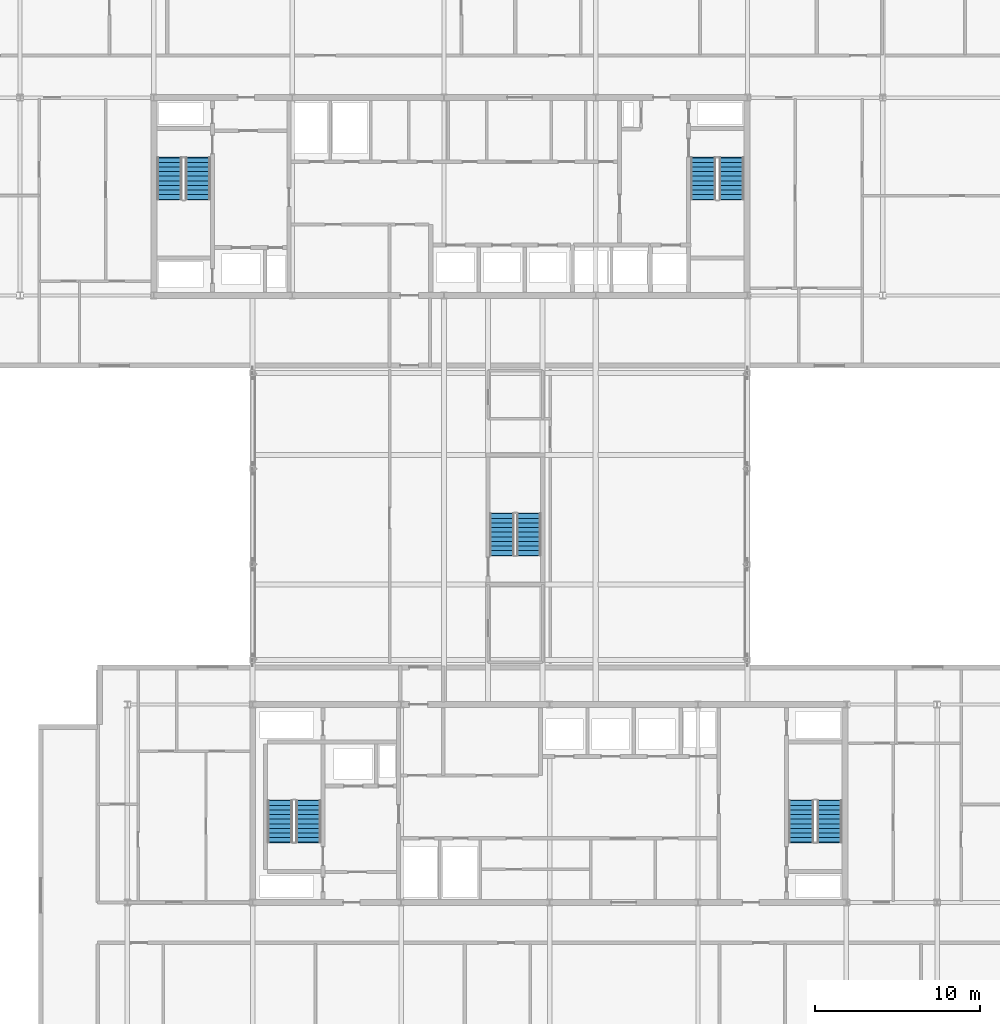
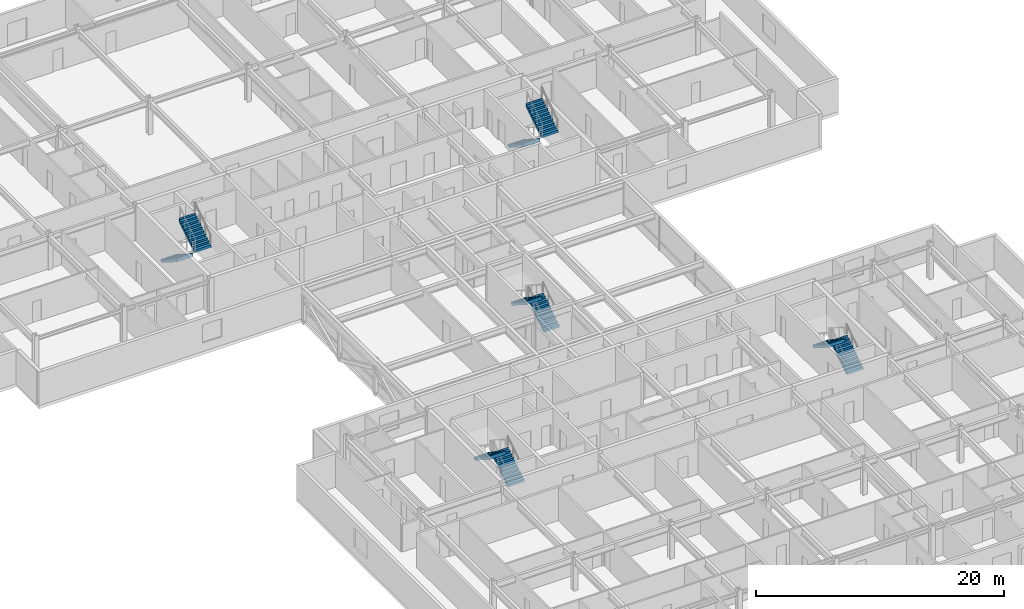
# One storey, part 30 of 36: 10 stair flights, 5 elements without a shape of their own.
"""IFC4 building model written with IfcOpenShell, lengths in metres."""

from ifc_helpers import new_model, si_unit, direction, frame, origin, place, context, subcontext, project, spatial, polyline, outline, extrude, material, type_object, element, aggregate, save


model = new_model("IFC4")

# Units and contexts
model_context = context("Model", 3, precision=1e-05, world=origin(), true_north=direction((0.0, 1.0)))
body_context = subcontext(model_context, "Body", "Model", "MODEL_VIEW")
ifc_project = project(units=[si_unit("LENGTHUNIT", "METRE"), si_unit("AREAUNIT", "SQUARE_METRE"), si_unit("VOLUMEUNIT", "CUBIC_METRE"), si_unit("PLANEANGLEUNIT", "RADIAN"), si_unit("MASSUNIT", "GRAM", prefix="KILO")], contexts=[model_context])

# Site, building, storey
site_placement = place(None, origin())
site = spatial("IfcSite", under=ifc_project, at=site_placement, CompositionType="ELEMENT")
building_placement = place(site_placement, origin())
building = spatial("IfcBuilding", under=site, at=building_placement, Name="Korimba Cascade Residences", CompositionType="ELEMENT")
storey_placement = place(building_placement, frame((0.0, 0.0, 139.300048828125)))
storey = spatial("IfcBuildingStorey", under=building, at=storey_placement, Name="L40", CompositionType="ELEMENT", Elevation=139.300048828125)

# Stair, stair flights
ifc_material = material(Name="Concrete C50/60", Category="concrete")
stair_type_1 = type_object("IfcStairType", Name="STR-BR1-20R-1800", PredefinedType="HALF_TURN_STAIR", material=ifc_material)
stair_1_placement = place(storey_placement, origin())
stair_1 = element("IfcStair", 1, at=stair_1_placement, inside=storey, type_object=stair_type_1, Name="L40 Mid-Bridge Feature Stair ST-BR1", PredefinedType="HALF_TURN_STAIR")
stair_flight_type_1 = type_object("IfcStairFlightType", Name="STF-DL-20R-1800-1430", PredefinedType="STRAIGHT", material=ifc_material)
stair_flight_1_placement = place(storey_placement, frame((98.844970703125, 39.449951171875, 0.0), z_axis=(0.0, 0.0, 1.0), x_axis=(0.0, 1.0, 0.0)))
stair_flight_1 = element("IfcStairFlight", 2, at=stair_flight_1_placement, type_object=stair_flight_type_1, Name="ST-BR1 flight 1", NumberOfRisers=10, NumberOfTreads=9, PredefinedType="STRAIGHT", RiserHeight=0.18, TreadLength=0.28, context=body_context, shape_type="SweptSolid", body=[
    extrude(outline(polyline([(-0.0380859375, 0.0), (0.0, 0.179931640625), (0.280029296875, 0.179931640625), (0.280029296875, 0.360107421875), (0.56005859375, 0.360107421875), (0.56005859375, 0.5400390625), (0.840087890625, 0.5400390625), (0.840087890625, 0.719970703125), (1.1201171875, 0.719970703125), (1.1201171875, 0.89990234375), (1.39990234375, 0.89990234375), (1.39990234375, 1.080078125), (1.679931640625, 1.080078125), (1.679931640625, 1.260009765625), (1.9599609375, 1.260009765625), (1.9599609375, 1.43994140625), (2.239990234375, 1.43994140625), (2.239990234375, 1.6201171875), (2.52001953125, 1.6201171875), (2.52001953125, 1.800048828125), (2.55810546875, 1.800048828125), (2.55810546875, 1.44189453125), (0.277099609375, 0.0), (0.277099609375, -0.0380859375), (-0.0380859375, -0.0380859375), (-0.0380859375, 0.0)])), frame((0.0, 0.71484375, 0.0), z_axis=(0.0, -1.0, 0.0), x_axis=(1.0, 0.0, 0.0)), (0.0, 0.0, 1.0), 1.429931640625),
])
stair_flight_2_placement = place(storey_placement, frame((97.215087890625, 41.969970703125, 1.800048828125), z_axis=(0.0, 0.0, 1.0), x_axis=(0.0, -1.0, 0.0)))
stair_flight_2 = element("IfcStairFlight", 3, at=stair_flight_2_placement, type_object=stair_flight_type_1, Name="ST-BR1 flight 2", NumberOfRisers=10, NumberOfTreads=9, PredefinedType="STRAIGHT", RiserHeight=0.18, TreadLength=0.28, context=body_context, shape_type="SweptSolid", body=[
    extrude(outline(polyline([(-0.0380859375, 0.0), (0.0, 0.179931640625), (0.280029296875, 0.179931640625), (0.280029296875, 0.360107421875), (0.56005859375, 0.360107421875), (0.56005859375, 0.5400390625), (0.840087890625, 0.5400390625), (0.840087890625, 0.719970703125), (1.1201171875, 0.719970703125), (1.1201171875, 0.89990234375), (1.39990234375, 0.89990234375), (1.39990234375, 1.080078125), (1.679931640625, 1.080078125), (1.679931640625, 1.260009765625), (1.9599609375, 1.260009765625), (1.9599609375, 1.43994140625), (2.239990234375, 1.43994140625), (2.239990234375, 1.6201171875), (2.52001953125, 1.6201171875), (2.52001953125, 1.800048828125), (2.55810546875, 1.800048828125), (2.55810546875, 1.44189453125), (0.277099609375, 0.0), (0.277099609375, -0.0380859375), (-0.0380859375, -0.0380859375), (-0.0380859375, 0.0)])), frame((0.0, 0.71484375, 0.0), z_axis=(0.0, -1.0, 0.0), x_axis=(1.0, 0.0, 0.0)), (0.0, 0.0, 1.0), 1.429931640625),
])
aggregate(stair_1, [stair_flight_1, stair_flight_2])

stair_type_2 = type_object("IfcStairType", Name="STR-W1-20R-1800", PredefinedType="HALF_TURN_STAIR", material=ifc_material)
stair_2_placement = place(storey_placement, origin())
stair_2 = element("IfcStair", 4, at=stair_2_placement, inside=storey, type_object=stair_type_2, Name="L40 Tower 1 West Fire Stair ST-W1", PredefinedType="HALF_TURN_STAIR")
stair_flight_type_2 = type_object("IfcStairFlightType", Name="STF-DL-20R-1800-1520", PredefinedType="STRAIGHT", material=ifc_material)
stair_flight_3_placement = place(storey_placement, frame((77.06005859375, 63.550048828125, 0.0), z_axis=(0.0, 0.0, 1.0), x_axis=(0.0, -1.0, 0.0)))
stair_flight_3 = element("IfcStairFlight", 5, at=stair_flight_3_placement, type_object=stair_flight_type_2, Name="ST-W1 flight 1", NumberOfRisers=10, NumberOfTreads=9, PredefinedType="STRAIGHT", RiserHeight=0.18, TreadLength=0.28, context=body_context, shape_type="SweptSolid", body=[
    extrude(outline(polyline([(-0.0380859375, 0.0), (0.0, 0.179931640625), (0.280029296875, 0.179931640625), (0.280029296875, 0.360107421875), (0.56005859375, 0.360107421875), (0.56005859375, 0.5400390625), (0.840087890625, 0.5400390625), (0.840087890625, 0.719970703125), (1.1201171875, 0.719970703125), (1.1201171875, 0.89990234375), (1.39990234375, 0.89990234375), (1.39990234375, 1.080078125), (1.679931640625, 1.080078125), (1.679931640625, 1.260009765625), (1.9599609375, 1.260009765625), (1.9599609375, 1.43994140625), (2.239990234375, 1.43994140625), (2.239990234375, 1.6201171875), (2.52001953125, 1.6201171875), (2.52001953125, 1.800048828125), (2.55810546875, 1.800048828125), (2.55810546875, 1.44189453125), (0.277099609375, 0.0), (0.277099609375, -0.0380859375), (-0.0380859375, -0.0380859375), (-0.0380859375, 0.0)])), frame((0.0, 0.760009765625, 0.0), z_axis=(0.0, -1.0, 0.0), x_axis=(1.0, 0.0, 0.0)), (0.0, 0.0, 1.0), 1.52001953125),
])
stair_flight_4_placement = place(storey_placement, frame((78.780029296875, 61.030029296875, 1.800048828125), z_axis=(0.0, 0.0, 1.0), x_axis=(0.0, 1.0, 0.0)))
stair_flight_4 = element("IfcStairFlight", 6, at=stair_flight_4_placement, type_object=stair_flight_type_2, Name="ST-W1 flight 2", NumberOfRisers=10, NumberOfTreads=9, PredefinedType="STRAIGHT", RiserHeight=0.18, TreadLength=0.28, context=body_context, shape_type="SweptSolid", body=[
    extrude(outline(polyline([(-0.0380859375, 0.0), (0.0, 0.179931640625), (0.280029296875, 0.179931640625), (0.280029296875, 0.360107421875), (0.56005859375, 0.360107421875), (0.56005859375, 0.5400390625), (0.840087890625, 0.5400390625), (0.840087890625, 0.719970703125), (1.1201171875, 0.719970703125), (1.1201171875, 0.89990234375), (1.39990234375, 0.89990234375), (1.39990234375, 1.080078125), (1.679931640625, 1.080078125), (1.679931640625, 1.260009765625), (1.9599609375, 1.260009765625), (1.9599609375, 1.43994140625), (2.239990234375, 1.43994140625), (2.239990234375, 1.6201171875), (2.52001953125, 1.6201171875), (2.52001953125, 1.800048828125), (2.55810546875, 1.800048828125), (2.55810546875, 1.44189453125), (0.277099609375, 0.0), (0.277099609375, -0.0380859375), (-0.0380859375, -0.0380859375), (-0.0380859375, 0.0)])), frame((0.0, 0.760009765625, 0.0), z_axis=(0.0, -1.0, 0.0), x_axis=(1.0, 0.0, 0.0)), (0.0, 0.0, 1.0), 1.52001953125),
])
aggregate(stair_2, [stair_flight_3, stair_flight_4])

stair_type_3 = type_object("IfcStairType", Name="STR-W2-20R-1800", PredefinedType="HALF_TURN_STAIR", material=ifc_material)
stair_3_placement = place(storey_placement, origin())
stair_3 = element("IfcStair", 7, at=stair_3_placement, inside=storey, type_object=stair_type_3, Name="L40 Tower 1 East Fire Stair ST-W2", PredefinedType="HALF_TURN_STAIR")
stair_flight_5_placement = place(storey_placement, frame((109.419921875, 63.550048828125, 0.0), z_axis=(0.0, 0.0, 1.0), x_axis=(0.0, -1.0, 0.0)))
stair_flight_5 = element("IfcStairFlight", 8, at=stair_flight_5_placement, type_object=stair_flight_type_2, Name="ST-W2 flight 1", NumberOfRisers=10, NumberOfTreads=9, PredefinedType="STRAIGHT", RiserHeight=0.18, TreadLength=0.28, context=body_context, shape_type="SweptSolid", body=[
    extrude(outline(polyline([(-0.0380859375, 0.0), (0.0, 0.179931640625), (0.280029296875, 0.179931640625), (0.280029296875, 0.360107421875), (0.56005859375, 0.360107421875), (0.56005859375, 0.5400390625), (0.840087890625, 0.5400390625), (0.840087890625, 0.719970703125), (1.1201171875, 0.719970703125), (1.1201171875, 0.89990234375), (1.39990234375, 0.89990234375), (1.39990234375, 1.080078125), (1.679931640625, 1.080078125), (1.679931640625, 1.260009765625), (1.9599609375, 1.260009765625), (1.9599609375, 1.43994140625), (2.239990234375, 1.43994140625), (2.239990234375, 1.6201171875), (2.52001953125, 1.6201171875), (2.52001953125, 1.800048828125), (2.55810546875, 1.800048828125), (2.55810546875, 1.44189453125), (0.277099609375, 0.0), (0.277099609375, -0.0380859375), (-0.0380859375, -0.0380859375), (-0.0380859375, 0.0)])), frame((0.0, 0.760009765625, 0.0), z_axis=(0.0, -1.0, 0.0), x_axis=(1.0, 0.0, 0.0)), (0.0, 0.0, 1.0), 1.52001953125),
])
stair_flight_6_placement = place(storey_placement, frame((111.139892578125, 61.030029296875, 1.800048828125), z_axis=(0.0, 0.0, 1.0), x_axis=(0.0, 1.0, 0.0)))
stair_flight_6 = element("IfcStairFlight", 9, at=stair_flight_6_placement, type_object=stair_flight_type_2, Name="ST-W2 flight 2", NumberOfRisers=10, NumberOfTreads=9, PredefinedType="STRAIGHT", RiserHeight=0.18, TreadLength=0.28, context=body_context, shape_type="SweptSolid", body=[
    extrude(outline(polyline([(-0.0380859375, 0.0), (0.0, 0.179931640625), (0.280029296875, 0.179931640625), (0.280029296875, 0.360107421875), (0.56005859375, 0.360107421875), (0.56005859375, 0.5400390625), (0.840087890625, 0.5400390625), (0.840087890625, 0.719970703125), (1.1201171875, 0.719970703125), (1.1201171875, 0.89990234375), (1.39990234375, 0.89990234375), (1.39990234375, 1.080078125), (1.679931640625, 1.080078125), (1.679931640625, 1.260009765625), (1.9599609375, 1.260009765625), (1.9599609375, 1.43994140625), (2.239990234375, 1.43994140625), (2.239990234375, 1.6201171875), (2.52001953125, 1.6201171875), (2.52001953125, 1.800048828125), (2.55810546875, 1.800048828125), (2.55810546875, 1.44189453125), (0.277099609375, 0.0), (0.277099609375, -0.0380859375), (-0.0380859375, -0.0380859375), (-0.0380859375, 0.0)])), frame((0.0, 0.760009765625, 0.0), z_axis=(0.0, -1.0, 0.0), x_axis=(1.0, 0.0, 0.0)), (0.0, 0.0, 1.0), 1.52001953125),
])
aggregate(stair_3, [stair_flight_5, stair_flight_6])

stair_type_4 = type_object("IfcStairType", Name="STR-E1-20R-1800", PredefinedType="HALF_TURN_STAIR", material=ifc_material)
stair_4_placement = place(storey_placement, origin())
stair_4 = element("IfcStair", 10, at=stair_4_placement, inside=storey, type_object=stair_type_4, Name="L40 Tower 2 West Fire Stair ST-E1", PredefinedType="HALF_TURN_STAIR")
stair_flight_7_placement = place(storey_placement, frame((85.47998046875, 22.050048828125, 0.0), z_axis=(0.0, 0.0, 1.0), x_axis=(0.0, 1.0, 0.0)))
stair_flight_7 = element("IfcStairFlight", 11, at=stair_flight_7_placement, type_object=stair_flight_type_2, Name="ST-E1 flight 1", NumberOfRisers=10, NumberOfTreads=9, PredefinedType="STRAIGHT", RiserHeight=0.18, TreadLength=0.28, context=body_context, shape_type="SweptSolid", body=[
    extrude(outline(polyline([(-0.0380859375, 0.0), (0.0, 0.179931640625), (0.280029296875, 0.179931640625), (0.280029296875, 0.360107421875), (0.56005859375, 0.360107421875), (0.56005859375, 0.5400390625), (0.840087890625, 0.5400390625), (0.840087890625, 0.719970703125), (1.1201171875, 0.719970703125), (1.1201171875, 0.89990234375), (1.39990234375, 0.89990234375), (1.39990234375, 1.080078125), (1.679931640625, 1.080078125), (1.679931640625, 1.260009765625), (1.9599609375, 1.260009765625), (1.9599609375, 1.43994140625), (2.239990234375, 1.43994140625), (2.239990234375, 1.6201171875), (2.52001953125, 1.6201171875), (2.52001953125, 1.800048828125), (2.55810546875, 1.800048828125), (2.55810546875, 1.44189453125), (0.277099609375, 0.0), (0.277099609375, -0.0380859375), (-0.0380859375, -0.0380859375), (-0.0380859375, 0.0)])), frame((0.0, 0.760009765625, 0.0), z_axis=(0.0, -1.0, 0.0), x_axis=(1.0, 0.0, 0.0)), (0.0, 0.0, 1.0), 1.52001953125),
])
stair_flight_8_placement = place(storey_placement, frame((83.760009765625, 24.570068359375, 1.800048828125), z_axis=(0.0, 0.0, 1.0), x_axis=(0.0, -1.0, 0.0)))
stair_flight_8 = element("IfcStairFlight", 12, at=stair_flight_8_placement, type_object=stair_flight_type_2, Name="ST-E1 flight 2", NumberOfRisers=10, NumberOfTreads=9, PredefinedType="STRAIGHT", RiserHeight=0.18, TreadLength=0.28, context=body_context, shape_type="SweptSolid", body=[
    extrude(outline(polyline([(-0.0380859375, 0.0), (0.0, 0.179931640625), (0.280029296875, 0.179931640625), (0.280029296875, 0.360107421875), (0.56005859375, 0.360107421875), (0.56005859375, 0.5400390625), (0.840087890625, 0.5400390625), (0.840087890625, 0.719970703125), (1.1201171875, 0.719970703125), (1.1201171875, 0.89990234375), (1.39990234375, 0.89990234375), (1.39990234375, 1.080078125), (1.679931640625, 1.080078125), (1.679931640625, 1.260009765625), (1.9599609375, 1.260009765625), (1.9599609375, 1.43994140625), (2.239990234375, 1.43994140625), (2.239990234375, 1.6201171875), (2.52001953125, 1.6201171875), (2.52001953125, 1.800048828125), (2.55810546875, 1.800048828125), (2.55810546875, 1.44189453125), (0.277099609375, 0.0), (0.277099609375, -0.0380859375), (-0.0380859375, -0.0380859375), (-0.0380859375, 0.0)])), frame((0.0, 0.760009765625, 0.0), z_axis=(0.0, -1.0, 0.0), x_axis=(1.0, 0.0, 0.0)), (0.0, 0.0, 1.0), 1.52001953125),
])
aggregate(stair_4, [stair_flight_7, stair_flight_8])

stair_type_5 = type_object("IfcStairType", Name="STR-E2-20R-1800", PredefinedType="HALF_TURN_STAIR", material=ifc_material)
stair_5_placement = place(storey_placement, origin())
stair_5 = element("IfcStair", 13, at=stair_5_placement, inside=storey, type_object=stair_type_5, Name="L40 Tower 2 East Fire Stair ST-E2", PredefinedType="HALF_TURN_STAIR")
stair_flight_9_placement = place(storey_placement, frame((117.080078125, 22.050048828125, 0.0), z_axis=(0.0, 0.0, 1.0), x_axis=(0.0, 1.0, 0.0)))
stair_flight_9 = element("IfcStairFlight", 14, at=stair_flight_9_placement, type_object=stair_flight_type_2, Name="ST-E2 flight 1", NumberOfRisers=10, NumberOfTreads=9, PredefinedType="STRAIGHT", RiserHeight=0.18, TreadLength=0.28, context=body_context, shape_type="SweptSolid", body=[
    extrude(outline(polyline([(-0.0380859375, 0.0), (0.0, 0.179931640625), (0.280029296875, 0.179931640625), (0.280029296875, 0.360107421875), (0.56005859375, 0.360107421875), (0.56005859375, 0.5400390625), (0.840087890625, 0.5400390625), (0.840087890625, 0.719970703125), (1.1201171875, 0.719970703125), (1.1201171875, 0.89990234375), (1.39990234375, 0.89990234375), (1.39990234375, 1.080078125), (1.679931640625, 1.080078125), (1.679931640625, 1.260009765625), (1.9599609375, 1.260009765625), (1.9599609375, 1.43994140625), (2.239990234375, 1.43994140625), (2.239990234375, 1.6201171875), (2.52001953125, 1.6201171875), (2.52001953125, 1.800048828125), (2.55810546875, 1.800048828125), (2.55810546875, 1.44189453125), (0.277099609375, 0.0), (0.277099609375, -0.0380859375), (-0.0380859375, -0.0380859375), (-0.0380859375, 0.0)])), frame((0.0, 0.760009765625, 0.0), z_axis=(0.0, -1.0, 0.0), x_axis=(1.0, 0.0, 0.0)), (0.0, 0.0, 1.0), 1.52001953125),
])
stair_flight_10_placement = place(storey_placement, frame((115.360107421875, 24.570068359375, 1.800048828125), z_axis=(0.0, 0.0, 1.0), x_axis=(0.0, -1.0, 0.0)))
stair_flight_10 = element("IfcStairFlight", 15, at=stair_flight_10_placement, type_object=stair_flight_type_2, Name="ST-E2 flight 2", NumberOfRisers=10, NumberOfTreads=9, PredefinedType="STRAIGHT", RiserHeight=0.18, TreadLength=0.28, context=body_context, shape_type="SweptSolid", body=[
    extrude(outline(polyline([(-0.0380859375, 0.0), (0.0, 0.179931640625), (0.280029296875, 0.179931640625), (0.280029296875, 0.360107421875), (0.56005859375, 0.360107421875), (0.56005859375, 0.5400390625), (0.840087890625, 0.5400390625), (0.840087890625, 0.719970703125), (1.1201171875, 0.719970703125), (1.1201171875, 0.89990234375), (1.39990234375, 0.89990234375), (1.39990234375, 1.080078125), (1.679931640625, 1.080078125), (1.679931640625, 1.260009765625), (1.9599609375, 1.260009765625), (1.9599609375, 1.43994140625), (2.239990234375, 1.43994140625), (2.239990234375, 1.6201171875), (2.52001953125, 1.6201171875), (2.52001953125, 1.800048828125), (2.55810546875, 1.800048828125), (2.55810546875, 1.44189453125), (0.277099609375, 0.0), (0.277099609375, -0.0380859375), (-0.0380859375, -0.0380859375), (-0.0380859375, 0.0)])), frame((0.0, 0.760009765625, 0.0), z_axis=(0.0, -1.0, 0.0), x_axis=(1.0, 0.0, 0.0)), (0.0, 0.0, 1.0), 1.52001953125),
])
aggregate(stair_5, [stair_flight_9, stair_flight_10])

save(model, "model.ifc")
